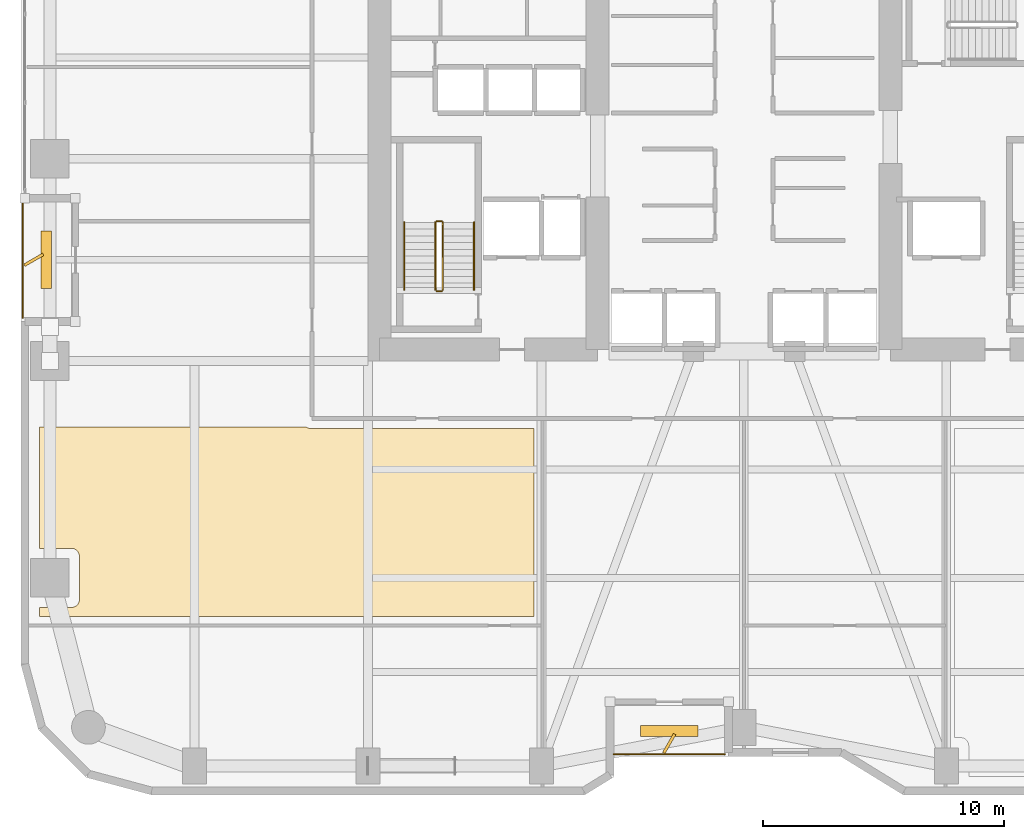
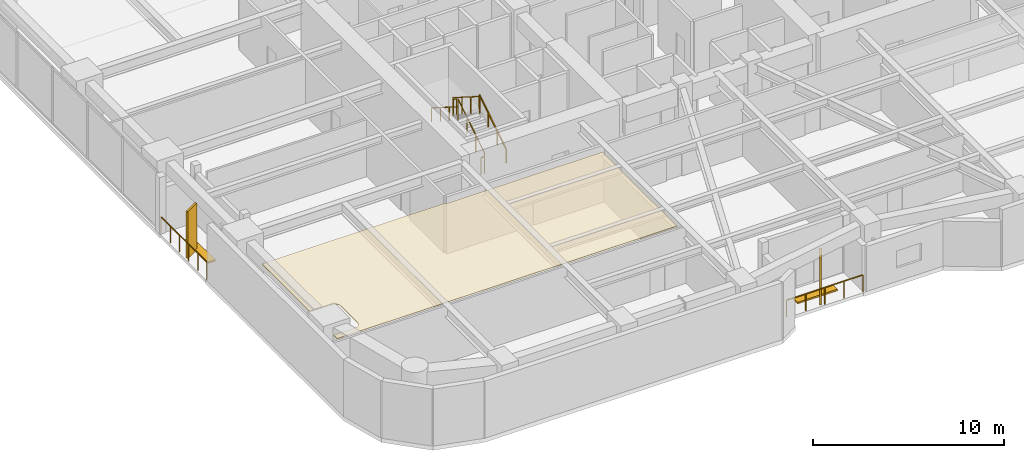
# One storey, part 26 of 28: 8 railings, 4 shading devices, 1 covering.
"""IFC4 building model written with IfcOpenShell, lengths in metres."""

from ifc_helpers import new_model, si_unit, direction, frame, origin, origin_2d, place, context, subcontext, project, spatial, polyline, rectangle, outline, extrude, material, layer, layer_set, type_object, element, save


model = new_model("IFC4")

# Units and contexts
model_context = context("Model", 3, precision=1e-05, world=origin(), true_north=direction((0.0, 1.0)))
body_context = subcontext(model_context, "Body", "Model", "MODEL_VIEW")
ifc_project = project(units=[si_unit("LENGTHUNIT", "METRE"), si_unit("AREAUNIT", "SQUARE_METRE"), si_unit("VOLUMEUNIT", "CUBIC_METRE"), si_unit("PLANEANGLEUNIT", "RADIAN"), si_unit("MASSUNIT", "GRAM", prefix="KILO")], contexts=[model_context])

# Site, building, storey
site_placement = place(None, origin())
site = spatial("IfcSite", under=ifc_project, at=site_placement, CompositionType="ELEMENT")
building_placement = place(site_placement, origin())
building = spatial("IfcBuilding", under=site, at=building_placement, Name="Kiyonajd Concourse Tower", CompositionType="ELEMENT")
storey_placement = place(building_placement, frame((0.0, 0.0, 33.300048828125)))
storey = spatial("IfcBuildingStorey", under=building, at=storey_placement, Name="L09", CompositionType="ELEMENT", Elevation=33.300048828125)

# Covering
ifc_material_1 = material(Name="Natural Oak Acoustic Timber Veneer", Category="wood")
ifc_layer = layer(ifc_material_1, 0.0400390625)
ifc_layer_set = layer_set([ifc_layer], Name="Natural Oak Acoustic Timber Veneer")
covering_type = type_object("IfcCoveringType", Name="CV-CLG-ACST", PredefinedType="CEILING", material=ifc_layer_set)
covering_placement = place(storey_placement, frame((0.0, 0.0, 3.4599609375)))
element("IfcCovering", 1, at=covering_placement, inside=storey, type_object=covering_type, Name="L09-42 Room Acoustic Ceiling", PredefinedType="CEILING", context=body_context, shape_type="SweptSolid", body=[
    extrude(outline(polyline([(29.826904296875, 24.8701171875), (29.882080078125, 24.8359375), (29.945068359375, 24.81005859375), (30.074951171875, 24.7900390625), (39.2900390625, 24.7900390625), (39.2900390625, 17.0), (18.77001953125, 17.0), (18.77001953125, 17.3701171875), (20.080078125, 17.3701171875), (20.14794921875, 17.376953125), (20.2451171875, 17.410888671875), (20.302001953125, 17.448974609375), (20.35107421875, 17.498046875), (20.388916015625, 17.554931640625), (20.4150390625, 17.617919921875), (20.429931640625, 17.719970703125), (20.429931640625, 19.47998046875), (20.4150390625, 19.58203125), (20.388916015625, 19.64501953125), (20.35107421875, 19.701904296875), (20.302001953125, 19.7509765625), (20.2451171875, 19.7890625), (20.181884765625, 19.81494140625), (20.114013671875, 19.827880859375), (18.77001953125, 19.830078125), (18.77001953125, 24.8701171875), (29.826904296875, 24.8701171875)])), origin(), (0.0, 0.0, 1.0), 0.0400390625),
])

# Railings
ifc_material_2 = material(Name="Thermally Broken Anodised Aluminium", Category="aluminium")
railing_type_1 = type_object("IfcRailingType", Name="RL-GRD-LOG", PredefinedType="GUARDRAIL", material=ifc_material_2)
railing_1_placement = place(storey_placement, frame((42.60009765625, 11.280029296875, 0.0)))
element("IfcRailing", 2, at=railing_1_placement, inside=storey, type_object=railing_type_1, Name="L09 Engawa Loggia Perimeter Guard LOG-S", PredefinedType="GUARDRAIL", context=body_context, shape_type="SweptSolid", body=[
    extrude(rectangle(XDim=0.048095703125, YDim=0.048095703125, at=origin_2d()), frame((0.0, 0.0, 1.076171875), z_axis=(1.0, 0.0, 0.0), x_axis=(0.0, 1.0, 0.0)), (0.0, 0.0, 1.0), 4.599853515625),
    extrude(rectangle(XDim=0.0419921875, YDim=0.0419921875, at=origin_2d()), origin(), (0.0, 0.0, 1.0), 1.052001953125),
    extrude(rectangle(XDim=0.0419921875, YDim=0.0419921875, at=origin_2d()), frame((1.14990234375, 0.0, 0.0)), (0.0, 0.0, 1.0), 1.052001953125),
    extrude(rectangle(XDim=0.0419921875, YDim=0.0419921875, at=origin_2d()), frame((2.2998046875, 0.0, 0.0)), (0.0, 0.0, 1.0), 1.052001953125),
    extrude(rectangle(XDim=0.0419921875, YDim=0.0419921875, at=origin_2d()), frame((3.449951171875, 0.0, 0.0)), (0.0, 0.0, 1.0), 1.052001953125),
    extrude(rectangle(XDim=0.0419921875, YDim=0.0419921875, at=origin_2d()), frame((4.599853515625, 0.0, 0.0)), (0.0, 0.0, 1.0), 1.052001953125),
])
railing_2_placement = place(storey_placement, frame((18.080078125, 34.199951171875, 0.0)))
element("IfcRailing", 3, at=railing_2_placement, inside=storey, type_object=railing_type_1, Name="L09 Engawa Loggia Perimeter Guard LOG-W", PredefinedType="GUARDRAIL", context=body_context, shape_type="SweptSolid", body=[
    extrude(rectangle(XDim=0.048095703125, YDim=0.048095703125, at=origin_2d()), frame((0.0, 0.0, 1.076171875), z_axis=(0.0, -1.0, 0.0), x_axis=(1.0, 0.0, 0.0)), (0.0, 0.0, 1.0), 4.800048828125),
    extrude(rectangle(XDim=0.0419921875, YDim=0.0419921875, at=origin_2d()), origin(), (0.0, 0.0, 1.0), 1.052001953125),
    extrude(rectangle(XDim=0.0419921875, YDim=0.0419921875, at=origin_2d()), frame((0.0, -0.9599609375, 0.0)), (0.0, 0.0, 1.0), 1.052001953125),
    extrude(rectangle(XDim=0.0419921875, YDim=0.0419921875, at=origin_2d()), frame((0.0, -1.919921875, 0.0)), (0.0, 0.0, 1.0), 1.052001953125),
    extrude(rectangle(XDim=0.0419921875, YDim=0.0419921875, at=origin_2d()), frame((0.0, -2.880126953125, 0.0)), (0.0, 0.0, 1.0), 1.052001953125),
    extrude(rectangle(XDim=0.0419921875, YDim=0.0419921875, at=origin_2d()), frame((0.0, -3.840087890625, 0.0)), (0.0, 0.0, 1.0), 1.052001953125),
    extrude(rectangle(XDim=0.0419921875, YDim=0.0419921875, at=origin_2d()), frame((0.0, -4.800048828125, 0.0)), (0.0, 0.0, 1.0), 1.052001953125),
])
ifc_material_3 = material(Name="Steel ASTM A500 Grade C", Category="steel")
railing_type_2 = type_object("IfcRailingType", Name="RL-GRD-STR", PredefinedType="GUARDRAIL", material=ifc_material_3)
railing_3_placement = place(storey_placement, frame((35.5, 30.550048828125, 0.17724609375)))
element("IfcRailing", 4, at=railing_3_placement, inside=storey, type_object=railing_type_2, Name="L09 ST1 stair guard 1", PredefinedType="GUARDRAIL", context=body_context, shape_type="SweptSolid", body=[
    extrude(rectangle(XDim=0.048095703125, YDim=0.048095703125, at=origin_2d()), frame((0.0, 0.0, 1.076171875), z_axis=(0.0, 0.844908973607, 0.534910110503), x_axis=(-1.0, 0.0, 0.0)), (0.0, 0.0, 1.0), 3.31396484375),
    extrude(rectangle(XDim=0.0419921875, YDim=0.0419921875, at=origin_2d()), origin(), (0.0, 0.0, 1.0), 1.052001953125),
    extrude(rectangle(XDim=0.0419921875, YDim=0.0419921875, at=origin_2d()), frame((0.0, 0.933349609375, 0.5908203125)), (0.0, 0.0, 1.0), 1.052001953125),
    extrude(rectangle(XDim=0.0419921875, YDim=0.0419921875, at=origin_2d()), frame((0.0, 1.86669921875, 1.181884765625)), (0.0, 0.0, 1.0), 1.052001953125),
    extrude(rectangle(XDim=0.0419921875, YDim=0.0419921875, at=origin_2d()), frame((0.0, 2.800048828125, 1.772705078125)), (0.0, 0.0, 1.0), 1.052001953125),
])
railing_4_placement = place(storey_placement, frame((35.449951171875, 33.39990234375, 1.949951171875)))
element("IfcRailing", 5, at=railing_4_placement, inside=storey, type_object=railing_type_2, Name="L09 ST1 stair guard 2", PredefinedType="GUARDRAIL", context=body_context, shape_type="SweptSolid", body=[
    extrude(rectangle(XDim=0.048095703125, YDim=0.048095703125, at=origin_2d()), frame((0.0, 0.0, 1.076171875), z_axis=(-1.0, 0.0, 0.0), x_axis=(0.0, -1.0, 0.0)), (0.0, 0.0, 1.0), 0.199951171875),
    extrude(rectangle(XDim=0.0419921875, YDim=0.0419921875, at=origin_2d()), origin(), (0.0, 0.0, 1.0), 1.052001953125),
    extrude(rectangle(XDim=0.0419921875, YDim=0.0419921875, at=origin_2d()), frame((-0.199951171875, 0.0, 0.0)), (0.0, 0.0, 1.0), 1.052001953125),
])
railing_5_placement = place(storey_placement, frame((35.199951171875, 33.35009765625, 2.127197265625)))
element("IfcRailing", 6, at=railing_5_placement, inside=storey, type_object=railing_type_2, Name="L09 ST1 stair guard 3", PredefinedType="GUARDRAIL", context=body_context, shape_type="SweptSolid", body=[
    extrude(rectangle(XDim=0.048095703125, YDim=0.048095703125, at=origin_2d()), frame((0.0, 0.0, 1.076171875), z_axis=(0.0, -0.844908973607, 0.534910110503), x_axis=(1.0, 0.0, 0.0)), (0.0, 0.0, 1.0), 3.31396484375),
    extrude(rectangle(XDim=0.0419921875, YDim=0.0419921875, at=origin_2d()), origin(), (0.0, 0.0, 1.0), 1.052001953125),
    extrude(rectangle(XDim=0.0419921875, YDim=0.0419921875, at=origin_2d()), frame((0.0, -0.933349609375, 0.5908203125)), (0.0, 0.0, 1.0), 1.052001953125),
    extrude(rectangle(XDim=0.0419921875, YDim=0.0419921875, at=origin_2d()), frame((0.0, -1.86669921875, 1.181884765625)), (0.0, 0.0, 1.0), 1.052001953125),
    extrude(rectangle(XDim=0.0419921875, YDim=0.0419921875, at=origin_2d()), frame((0.0, -2.800048828125, 1.772705078125)), (0.0, 0.0, 1.0), 1.052001953125),
])
railing_6_placement = place(storey_placement, frame((35.449951171875, 30.5, 0.0)))
element("IfcRailing", 7, at=railing_6_placement, inside=storey, type_object=railing_type_2, Name="L09 ST1 stair guard 4", PredefinedType="GUARDRAIL", context=body_context, shape_type="SweptSolid", body=[
    extrude(rectangle(XDim=0.048095703125, YDim=0.048095703125, at=origin_2d()), frame((0.0, 0.0, 1.076171875), z_axis=(-1.0, 0.0, 0.0), x_axis=(0.0, -1.0, 0.0)), (0.0, 0.0, 1.0), 0.199951171875),
    extrude(rectangle(XDim=0.0419921875, YDim=0.0419921875, at=origin_2d()), origin(), (0.0, 0.0, 1.0), 1.052001953125),
    extrude(rectangle(XDim=0.0419921875, YDim=0.0419921875, at=origin_2d()), frame((-0.199951171875, 0.0, 0.0)), (0.0, 0.0, 1.0), 1.052001953125),
])
ifc_material_4 = material(Name="Brushed Stainless Steel Cab Assembly", Category="steel")
railing_type_3 = type_object("IfcRailingType", Name="RL-HND-900", PredefinedType="HANDRAIL", material=ifc_material_4)
railing_7_placement = place(storey_placement, frame((36.800048828125, 30.550048828125, 0.17724609375)))
element("IfcRailing", 8, at=railing_7_placement, inside=storey, type_object=railing_type_3, Name="L09 ST1 stair handrail 1", PredefinedType="HANDRAIL", context=body_context, shape_type="SweptSolid", body=[
    extrude(rectangle(XDim=0.048095703125, YDim=0.048095703125, at=origin_2d()), frame((0.0, 0.0, 0.8759765625), z_axis=(0.0, 0.844908973607, 0.534910110503), x_axis=(-1.0, 0.0, 0.0)), (0.0, 0.0, 1.0), 3.31396484375),
    extrude(rectangle(XDim=0.0419921875, YDim=0.0419921875, at=origin_2d()), origin(), (0.0, 0.0, 1.0), 0.851806640625),
    extrude(rectangle(XDim=0.0419921875, YDim=0.0419921875, at=origin_2d()), frame((0.0, 0.933349609375, 0.5908203125)), (0.0, 0.0, 1.0), 0.851806640625),
    extrude(rectangle(XDim=0.0419921875, YDim=0.0419921875, at=origin_2d()), frame((0.0, 1.86669921875, 1.181884765625)), (0.0, 0.0, 1.0), 0.851806640625),
    extrude(rectangle(XDim=0.0419921875, YDim=0.0419921875, at=origin_2d()), frame((0.0, 2.800048828125, 1.772705078125)), (0.0, 0.0, 1.0), 0.851806640625),
])
railing_8_placement = place(storey_placement, frame((33.89990234375, 33.35009765625, 2.127197265625)))
element("IfcRailing", 9, at=railing_8_placement, inside=storey, type_object=railing_type_3, Name="L09 ST1 stair handrail 2", PredefinedType="HANDRAIL", context=body_context, shape_type="SweptSolid", body=[
    extrude(rectangle(XDim=0.048095703125, YDim=0.048095703125, at=origin_2d()), frame((0.0, 0.0, 0.8759765625), z_axis=(0.0, -0.844908973607, 0.534910110503), x_axis=(1.0, 0.0, 0.0)), (0.0, 0.0, 1.0), 3.31396484375),
    extrude(rectangle(XDim=0.0419921875, YDim=0.0419921875, at=origin_2d()), origin(), (0.0, 0.0, 1.0), 0.851806640625),
    extrude(rectangle(XDim=0.0419921875, YDim=0.0419921875, at=origin_2d()), frame((0.0, -0.933349609375, 0.5908203125)), (0.0, 0.0, 1.0), 0.851806640625),
    extrude(rectangle(XDim=0.0419921875, YDim=0.0419921875, at=origin_2d()), frame((0.0, -1.86669921875, 1.181884765625)), (0.0, 0.0, 1.0), 0.851806640625),
    extrude(rectangle(XDim=0.0419921875, YDim=0.0419921875, at=origin_2d()), frame((0.0, -2.800048828125, 1.772705078125)), (0.0, 0.0, 1.0), 0.851806640625),
])

# Shading devices
ifc_material_5 = material(Name="Precast concrete C50/60", Category="concrete")
shading_device_type_1 = type_object("IfcShadingDeviceType", Name="SH-FIN-900", PredefinedType="USERDEFINED", material=ifc_material_5)
for number, where, z_axis, x_axis, name in (
    (10, (44.89990234375, 11.72998046875, 0.0), (0.0, 0.0, 1.0), (0.5, 0.866025403784, 0.0), "L09 Angled Koshi Solar Fin LOG-S"),
    (11, (18.530029296875, 31.800048828125, 0.0), (0.0, 0.0, 1.0), (0.866025403784, 0.5, 0.0), "L09 Angled Koshi Solar Fin LOG-W"),
):
    element("IfcShadingDevice", number, at=place(storey_placement, frame(where, z_axis=z_axis, x_axis=x_axis)), inside=storey, type_object=shading_device_type_1, Name=name, ObjectType="FIN", PredefinedType="USERDEFINED", context=body_context, shape_type="SweptSolid", body=[
        extrude(rectangle(XDim=0.89990234375, YDim=0.1201171875, at=origin_2d()), origin(), (0.0, 0.0, 1.0), 3.0),
    ])
shading_device_type_2 = type_object("IfcShadingDeviceType", Name="SH-LVR-600", PredefinedType="JALOUSIE", material=ifc_material_2)
for number, where, z_axis, x_axis, name in (
    (12, (44.89990234375, 12.25, 0.0), (0.0, 0.0, 1.0), (1.0, 0.0, 0.0), "L09 Loggia Threshold Louver LOG-S"),
    (13, (19.050048828125, 31.800048828125, 0.0), (0.0, 0.0, 1.0), (0.0, 1.0, 0.0), "L09 Loggia Threshold Louver LOG-W"),
):
    element("IfcShadingDevice", number, at=place(storey_placement, frame(where, z_axis=z_axis, x_axis=x_axis)), inside=storey, type_object=shading_device_type_2, Name=name, PredefinedType="JALOUSIE", context=body_context, shape_type="SweptSolid", body=[
        extrude(rectangle(XDim=2.39990234375, YDim=0.449951171875, at=origin_2d()), origin(), (0.0, 0.0, 1.0), 0.10009765625),
    ])

save(model, "model.ifc")
